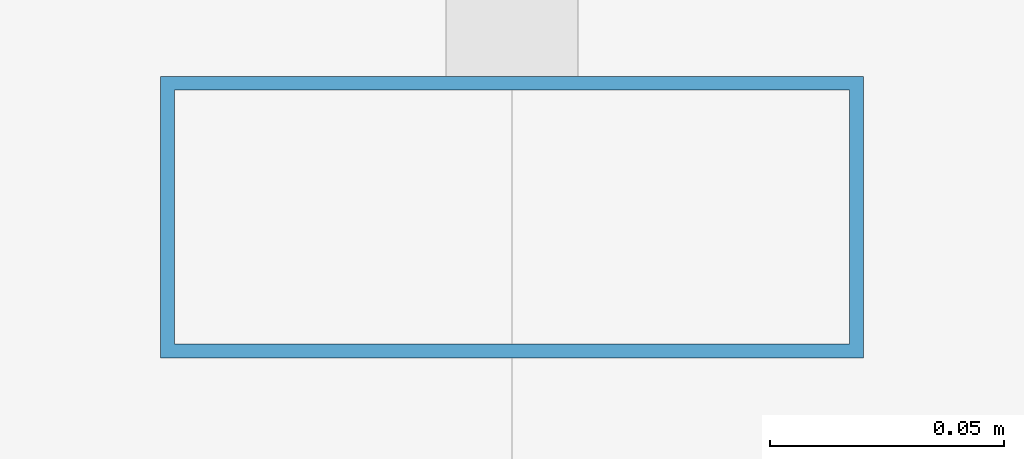
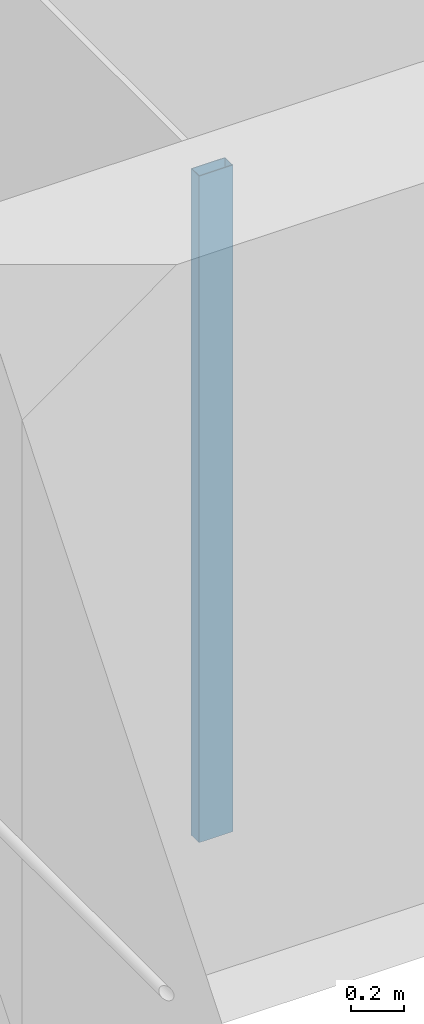
# One storey, part 11 of 46: 1 member, 1 element without a shape of its own.
"""IFC4 building model written with IfcOpenShell, lengths in metres."""

import ifcopenshell
import ifcopenshell.guid

model = None  # the IFC model being written
_history = None  # IfcOwnerHistory: only IFC2X3 demands one
_inside = {}  # id of a spatial element -> (the spatial element, [elements in it])
_under = {}  # id of a project, library or spatial element -> (it, [spatial elements below it])
_declared = {}  # id of a project -> (the project, [libraries it declares])
_typed = {}  # id of a type object -> (the type object, [elements of that type])
_made_of = {}  # id of a material, layer set ... -> (it, [elements and type objects made of it])


def new_model(schema):
    """Start an empty IFC model of exactly this schema.

    Asked for "IFC4X3", IfcOpenShell would pick the latest addendum, in which some entities
    have other attributes; the version numbers below select the first issue.
    IFC2X3 requires an IfcOwnerHistory on every rooted entity: one is made here for all.
    """
    global model, _history
    if schema == "IFC4X3":
        model = ifcopenshell.file(schema_version=(4, 3, 0, 0))
    else:
        model = ifcopenshell.file(schema=schema)
    _inside.clear()
    _under.clear()
    _declared.clear()
    _typed.clear()
    _made_of.clear()
    _history = None
    if model.schema == "IFC2X3":
        org = make("IfcOrganization", Name="unknown")
        user = make(
            "IfcPersonAndOrganization",
            ThePerson=make("IfcPerson", FamilyName="unknown"),
            TheOrganization=org,
        )
        app = make(
            "IfcApplication",
            ApplicationDeveloper=org,
            Version="unknown",
            ApplicationFullName="unknown",
            ApplicationIdentifier="unknown",
        )
        _history = make(
            "IfcOwnerHistory",
            OwningUser=user,
            OwningApplication=app,
            ChangeAction="ADDED",
            CreationDate=0,
        )
    return model


def make(cls, **values):
    """One entity of the class cls with the attributes given. An attribute that is None is left unset."""
    return model.create_entity(
        cls, **{name: value for name, value in values.items() if value is not None}
    )


def rooted(cls, **values):
    """An entity with a GlobalId (a new one), such as an element, a storey or a relation."""
    return make(cls, GlobalId=ifcopenshell.guid.new(), OwnerHistory=_history, **values)


def si_unit(unit_type, name, prefix=None):
    """IfcSIUnit, for example si_unit("LENGTHUNIT", "METRE", prefix="MILLI")."""
    return make("IfcSIUnit", UnitType=unit_type, Prefix=prefix, Name=name)


def assignment(units):
    """IfcUnitAssignment: the units of a project."""
    return None if units is None else make("IfcUnitAssignment", Units=units)


def point(xyz):
    """IfcCartesianPoint."""
    return None if xyz is None else make("IfcCartesianPoint", Coordinates=xyz)


def direction(xyz):
    """IfcDirection."""
    return None if xyz is None else make("IfcDirection", DirectionRatios=xyz)


def frame(location, z_axis=None, x_axis=None):
    """IfcAxis2Placement3D, a coordinate frame: its origin and axes. An axis left out is left unset."""
    return make(
        "IfcAxis2Placement3D",
        Location=point(location),
        Axis=direction(z_axis),
        RefDirection=direction(x_axis),
    )


def frame_2d(location, x_axis=None):
    """IfcAxis2Placement2D, a coordinate frame in the plane: its origin and x axis."""
    return make(
        "IfcAxis2Placement2D", Location=point(location), RefDirection=direction(x_axis)
    )


def origin():
    """The frame at (0, 0, 0) with its axes left unset."""
    return frame((0.0, 0.0, 0.0))


def origin_2d():
    """The frame at (0, 0) in the plane with its x axis left unset."""
    return frame_2d((0.0, 0.0))


def place(relative_to, where):
    """IfcLocalPlacement: puts the frame where relative to a parent placement (None: the world)."""
    return make(
        "IfcLocalPlacement", PlacementRelTo=relative_to, RelativePlacement=where
    )


def context(
    kind, dimensions, precision=None, world=None, true_north=None, identifier=None
):
    """IfcGeometricRepresentationContext, for example the 3D "Model" context."""
    return make(
        "IfcGeometricRepresentationContext",
        ContextIdentifier=identifier,
        ContextType=kind,
        CoordinateSpaceDimension=dimensions,
        Precision=precision,
        WorldCoordinateSystem=world,
        TrueNorth=true_north,
    )


def subcontext(parent, identifier, kind, view, scale=None):
    """IfcGeometricRepresentationSubContext, for example "Body" below "Model"."""
    return make(
        "IfcGeometricRepresentationSubContext",
        ContextIdentifier=identifier,
        ContextType=kind,
        ParentContext=parent,
        TargetScale=scale,
        TargetView=view,
    )


def project(units=None, contexts=None):
    """IfcProject with its units and contexts."""
    return rooted(
        "IfcProject",
        Name="project",
        RepresentationContexts=contexts,
        UnitsInContext=assignment(units),
    )


def spatial(cls, under=None, at=None, **own):
    """A site, building, storey or space (cls), placed at a placement, below another one or the project."""
    s = rooted(cls, ObjectPlacement=at, **own)
    if under is not None:
        _under.setdefault(under.id(), (under, []))[1].append(s)
    return s


def profile(cls, at=None, kind="AREA", **sizes):
    """A parametric profile (cls). Its sizes go by their IFC names, for example OverallWidth=200.0."""
    return make(cls, ProfileType=kind, Position=at, **sizes)


def hollow_rectangle(**sizes):
    """IfcRectangleHollowProfileDef."""
    return profile("IfcRectangleHollowProfileDef", **sizes)


def extrude(swept, where, along, depth):
    """IfcExtrudedAreaSolid: the profile swept, set in the frame where, extruded along a direction by depth."""
    return make(
        "IfcExtrudedAreaSolid",
        SweptArea=swept,
        Position=where,
        ExtrudedDirection=direction(along),
        Depth=depth,
    )


def shape(context_of_items, identifier, shape_type, items):
    """IfcShapeRepresentation: the items that make up one representation, for example the "Body"."""
    return make(
        "IfcShapeRepresentation",
        ContextOfItems=context_of_items,
        RepresentationIdentifier=identifier,
        RepresentationType=shape_type,
        Items=items,
    )


def material(Name=None, Category=None):
    """IfcMaterial."""
    return make("IfcMaterial", Name=Name, Category=Category)


def material_profile(
    of_material, cross_section, Name=None, Category=None, Priority=None
):
    """IfcMaterialProfile: a cross section and its material."""
    return make(
        "IfcMaterialProfile",
        Name=Name,
        Material=of_material,
        Profile=cross_section,
        Priority=Priority,
        Category=Category,
    )


def profile_set(profiles, Name=None, composite=None):
    """IfcMaterialProfileSet."""
    return make(
        "IfcMaterialProfileSet",
        Name=Name,
        MaterialProfiles=profiles,
        CompositeProfile=composite,
    )


def made_of(thing, what):
    """Note that an element or type object is made of a material, layer set ...; save() writes the relation."""
    if what is not None:
        _made_of.setdefault(what.id(), (what, []))[1].append(thing)
    return thing


def type_object(cls, material=None, **own):
    """A type object (cls), such as IfcWallType, which elements share."""
    return made_of(rooted(cls, **own), material)


def element(
    cls,
    number,
    at=None,
    inside=None,
    cuts=None,
    type_object=None,
    material=None,
    context=None,
    identifier="Body",
    shape_type=None,
    held_by="IfcProductDefinitionShape",
    body=None,
    shapes=None,
    **own,
):
    """One element of the class cls, such as IfcWall. Its Tag is "e" and its number.

    at: its placement. inside: the storey or other place that contains it. cuts: it is an
    opening in that element (IfcRelVoidsElement). A single representation is given by context,
    identifier, shape_type and body (its items); several are given by shapes. held_by: the class
    of the entity that holds the representations. save() writes the other relations.
    """
    e = rooted(cls, Tag="e%d" % number, ObjectPlacement=at, **own)
    if body is not None:
        shapes = [shape(context, identifier, shape_type, body)]
    if shapes is not None:
        e.Representation = make(held_by, Representations=shapes)
    if inside is not None:
        _inside.setdefault(inside.id(), (inside, []))[1].append(e)
    if cuts is not None:
        rooted(
            "IfcRelVoidsElement", RelatingBuildingElement=cuts, RelatedOpeningElement=e
        )
    if type_object is not None:
        _typed.setdefault(type_object.id(), (type_object, []))[1].append(e)
    return made_of(e, material)


def aggregate(whole, parts):
    """IfcRelAggregates: a whole, such as a stair, and the parts it consists of."""
    return rooted("IfcRelAggregates", RelatingObject=whole, RelatedObjects=parts)


def save(model, path):
    """Write the relations noted so far, then the file.

    IfcRelAggregates (storeys below a building ...), IfcRelContainedInSpatialStructure (elements
    in a storey), IfcRelDefinesByType, IfcRelAssociatesMaterial and IfcRelDeclares: one each for
    every whole, place, type object, material and project.
    """
    for whole, parts in _under.values():
        aggregate(whole, parts)
    for where, things in _inside.values():
        rooted(
            "IfcRelContainedInSpatialStructure",
            RelatedElements=things,
            RelatingStructure=where,
        )
    for kind, things in _typed.values():
        rooted("IfcRelDefinesByType", RelatedObjects=things, RelatingType=kind)
    for what, things in _made_of.values():
        rooted("IfcRelAssociatesMaterial", RelatedObjects=things, RelatingMaterial=what)
    for by, libraries in _declared.values():
        rooted("IfcRelDeclares", RelatingContext=by, RelatedDefinitions=libraries)
    model.write(path)


model = new_model("IFC4")

# Units and contexts
model_context = context("Model", 3, precision=1e-05, world=origin(), true_north=direction((0.0, 1.0)))
body_context = subcontext(model_context, "Body", "Model", "MODEL_VIEW")
ifc_project = project(units=[si_unit("LENGTHUNIT", "METRE"), si_unit("AREAUNIT", "SQUARE_METRE"), si_unit("VOLUMEUNIT", "CUBIC_METRE"), si_unit("PLANEANGLEUNIT", "RADIAN"), si_unit("MASSUNIT", "GRAM", prefix="KILO")], contexts=[model_context])

# Site, building, storey
site_placement = place(None, origin())
site = spatial("IfcSite", under=ifc_project, at=site_placement, CompositionType="ELEMENT")
building_placement = place(site_placement, origin())
building = spatial("IfcBuilding", under=site, at=building_placement, Name="Altepetl Exchange Towers", CompositionType="ELEMENT")
storey_placement = place(building_placement, frame((0.0, 0.0, 120.800048828125)))
storey = spatial("IfcBuildingStorey", under=building, at=storey_placement, Name="L29", CompositionType="ELEMENT", Elevation=120.800048828125)

# Curtain wall, member
ifc_material_1 = material(Name="Aluminium 6063-T6 glazing", Category="aluminium")
curtain_wall_type = type_object("IfcCurtainWallType", Name="Loggia glazing system", PredefinedType="NOTDEFINED", material=ifc_material_1)
curtain_wall_placement = place(storey_placement, origin())
curtain_wall = element("IfcCurtainWall", 1, at=curtain_wall_placement, inside=storey, type_object=curtain_wall_type, Name="CW1 run", PredefinedType="NOTDEFINED")
ifc_material_2 = material(Name="Aluminium 6063-T6", Category="aluminium")
ifc_material_profile = material_profile(ifc_material_2, hollow_rectangle(XDim=0.06005859375, YDim=0.14990234375, WallThickness=0.0029296875, at=origin_2d()), Name="Mullion 60x150 aluminium")
ifc_profile_set = profile_set([ifc_material_profile], Name="Aluminium 6063-T6")
member_type = type_object("IfcMemberType", Name="Mullion 60x150 aluminium", PredefinedType="MULLION", material=ifc_profile_set)
member_placement = place(storey_placement, frame((42.5, 58.60498046875, 0.0), z_axis=(0.0, 0.0, 1.0), x_axis=(0.0, -1.0, 0.0)))
member = element("IfcMember", 2, at=member_placement, type_object=member_type, Name="MU1 mullion", PredefinedType="MULLION", context=body_context, shape_type="SweptSolid", body=[
    extrude(hollow_rectangle(XDim=0.06005859375, YDim=0.14990234375, WallThickness=0.0029296875, at=origin_2d()), origin(), (0.0, 0.0, 1.0), 3.099853515625),
])
aggregate(curtain_wall, [member])

save(model, "model.ifc")
